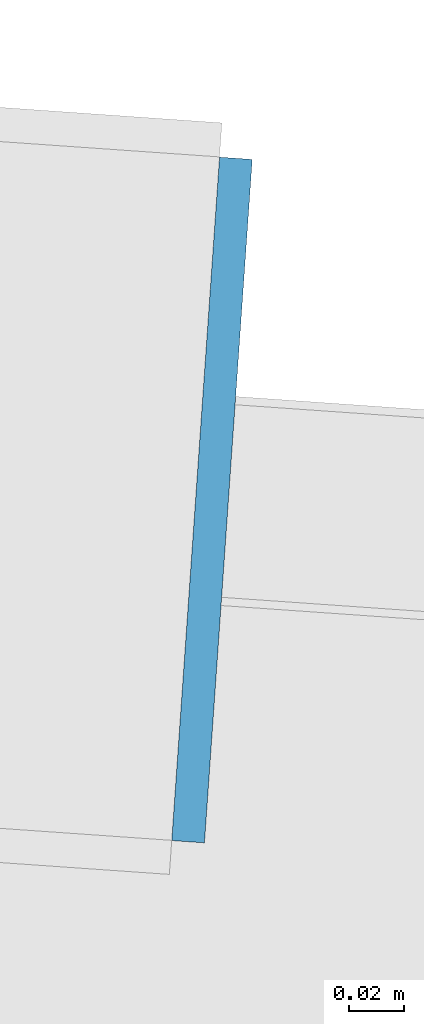
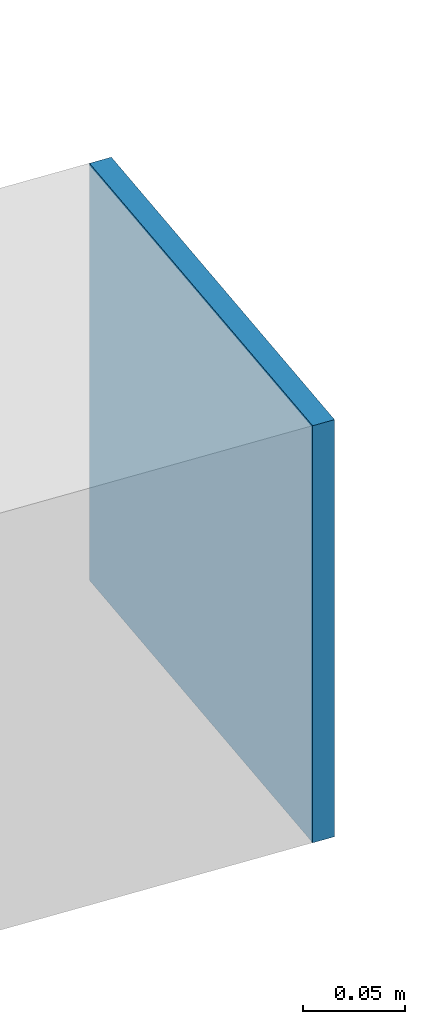
# One storey, part 31 of 39: 1 plate.
"""IFC4 building model written with IfcOpenShell, lengths in metres."""

from ifc_helpers import new_model, si_unit, direction, frame, origin, origin_2d, place, context, subcontext, project, spatial, rectangle, extrude, source, transform, mapped, material, layer, layer_set, type_object, element, save


model = new_model("IFC4")

# Units and contexts
model_context = context("Model", 3, precision=1e-05, world=origin(), true_north=direction((0.0, 1.0)))
body_context = subcontext(model_context, "Body", "Model", "MODEL_VIEW")
ifc_project = project(units=[si_unit("LENGTHUNIT", "METRE"), si_unit("AREAUNIT", "SQUARE_METRE"), si_unit("VOLUMEUNIT", "CUBIC_METRE"), si_unit("PLANEANGLEUNIT", "RADIAN"), si_unit("MASSUNIT", "GRAM", prefix="KILO")], contexts=[model_context])

# Site, building, storey
site_placement = place(None, origin())
site = spatial("IfcSite", under=ifc_project, at=site_placement, CompositionType="ELEMENT")
building_placement = place(site_placement, origin())
building = spatial("IfcBuilding", under=site, at=building_placement, Name="Taldren Reach Tower", CompositionType="ELEMENT")
storey_placement = place(building_placement, frame((0.0, 0.0, 136.14990234375)))
storey = spatial("IfcBuildingStorey", under=building, at=storey_placement, Name="L41", CompositionType="ELEMENT", Elevation=136.14990234375)

# Plate
ifc_material = material(Name="Steel Gr 350 (C350L0)", Category="steel")
ifc_layer = layer(ifc_material, 0.011962890625)
ifc_layer_set = layer_set([ifc_layer], Name="Steel Gr 350 (C350L0)")
plate_type = type_object("IfcPlateType", Name="PL-CAP-250", PredefinedType="SHEET", material=ifc_layer_set)
shared_shape = source(origin(), body_context, "Body", "SweptSolid", [
    extrude(rectangle(XDim=0.011962890625, YDim=0.25, at=origin_2d()), origin(), (0.0, 0.0, 1.0), 0.25),
])
plate_placement = place(storey_placement, frame((62.88330078125, 30.991943359375, 0.09521484375), z_axis=(0.0, 0.0, 1.0), x_axis=(0.99756405026, -0.069756473744, 0.0)))
element("IfcPlate", 1, at=plate_placement, inside=storey, type_object=plate_type, Name="Tie strut end cap plate B3-E3 L41", PredefinedType="SHEET", context=body_context, shape_type="MappedRepresentation", body=[
    mapped(shared_shape, transform((0.0, 0.0, 0.0), scale=1.0)),
])

save(model, "model.ifc")
